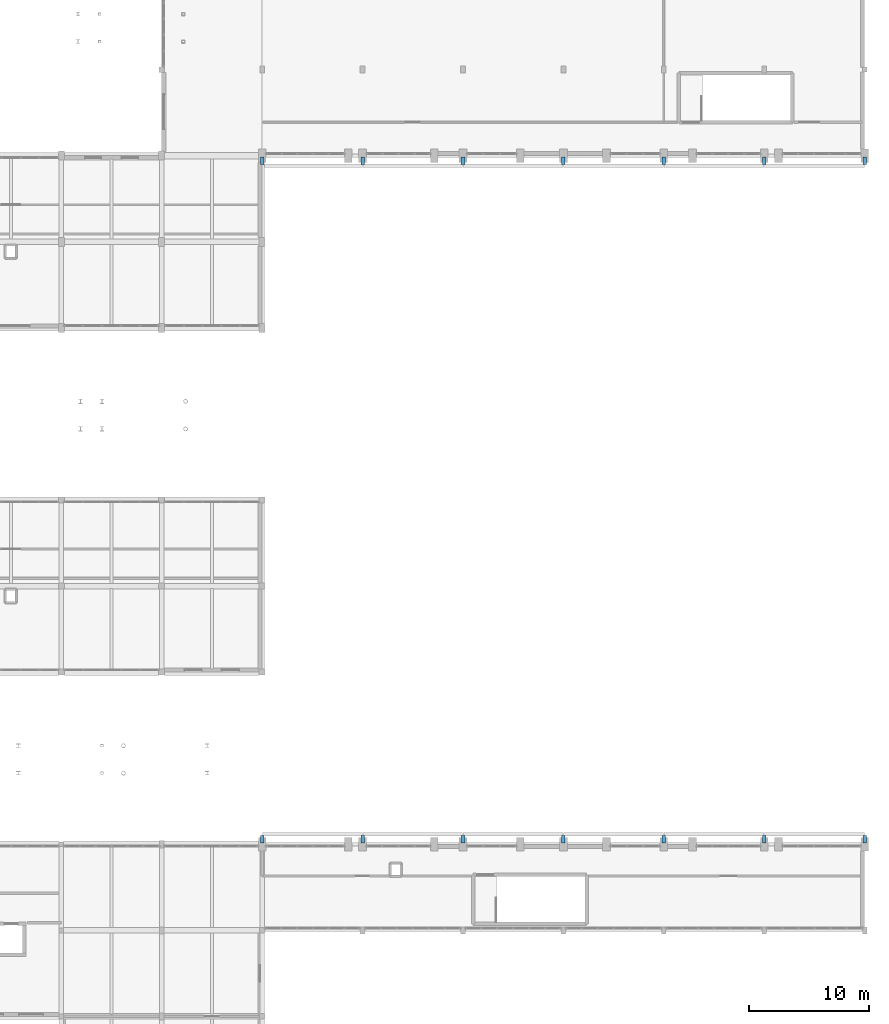
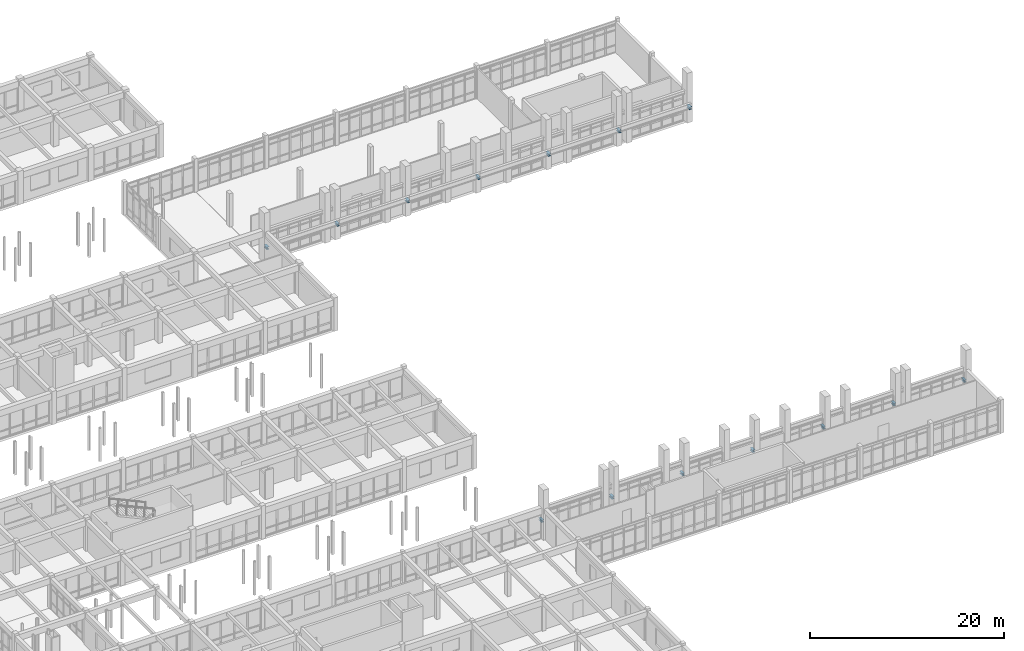
# One storey, part 100 of 147: 14 beams.
"""IFC4 building model written with IfcOpenShell, lengths in metres."""

from ifc_helpers import new_model, si_unit, direction, frame, origin, origin_2d, place, context, subcontext, project, spatial, i_section, extrude, material, material_profile, profile_set, type_object, element, save


model = new_model("IFC4")

# Units and contexts
model_context = context("Model", 3, precision=1e-05, world=origin(), true_north=direction((0.0, 1.0)))
body_context = subcontext(model_context, "Body", "Model", "MODEL_VIEW")
ifc_project = project(units=[si_unit("LENGTHUNIT", "METRE"), si_unit("AREAUNIT", "SQUARE_METRE"), si_unit("VOLUMEUNIT", "CUBIC_METRE"), si_unit("PLANEANGLEUNIT", "RADIAN"), si_unit("MASSUNIT", "GRAM", prefix="KILO")], contexts=[model_context])

# Site, building, storey
site_placement = place(None, origin())
site = spatial("IfcSite", under=ifc_project, at=site_placement, CompositionType="ELEMENT")
building_placement = place(site_placement, origin())
building = spatial("IfcBuilding", under=site, at=building_placement, Name="Malvenik Polytechnic", CompositionType="ELEMENT")
storey_placement = place(building_placement, frame((0.0, 0.0, 5.10009765625)))
storey = spatial("IfcBuildingStorey", under=building, at=storey_placement, Name="L01", CompositionType="ELEMENT", Elevation=5.10009765625)

# Beams
ifc_material = material(Name="Steel S355", Category="steel")
ifc_material_profile = material_profile(ifc_material, i_section(OverallWidth=0.300048828125, OverallDepth=0.300048828125, WebThickness=0.010986328125, FlangeThickness=0.01904296875, FilletRadius=0.027099609375, at=origin_2d()), Name="HEB 300")
ifc_profile_set = profile_set([ifc_material_profile], Name="Steel S355")
beam_type = type_object("IfcBeamType", Name="STR-BM-SB-03", PredefinedType="BEAM", material=ifc_profile_set)
for number, where, z_axis, x_axis, name in (
    (1, (134.39990234375, 36.1201171875, 1.89990234375), (0.0, 1.0, 0.0), (-1.0, 0.0, 0.0), "Crane Corbel Tie SB-03 #1.1"),
    (2, (142.800048828125, 36.1201171875, 1.89990234375), (0.0, 1.0, 0.0), (-1.0, 0.0, 0.0), "Crane Corbel Tie SB-03 #1.2"),
    (3, (151.199951171875, 36.1201171875, 1.89990234375), (0.0, 1.0, 0.0), (-1.0, 0.0, 0.0), "Crane Corbel Tie SB-03 #1.3"),
    (4, (159.60009765625, 36.1201171875, 1.89990234375), (0.0, 1.0, 0.0), (-1.0, 0.0, 0.0), "Crane Corbel Tie SB-03 #1.4"),
    (5, (168.0, 36.1201171875, 1.89990234375), (0.0, 1.0, 0.0), (-1.0, 0.0, 0.0), "Crane Corbel Tie SB-03 #1.5"),
    (6, (176.39990234375, 36.1201171875, 1.89990234375), (0.0, 1.0, 0.0), (-1.0, 0.0, 0.0), "Crane Corbel Tie SB-03 #1.6"),
    (7, (184.800048828125, 36.1201171875, 1.89990234375), (0.0, 1.0, 0.0), (-1.0, 0.0, 0.0), "Crane Corbel Tie SB-03 #1.7"),
    (8, (134.39990234375, 92.8701171875, 1.89990234375), (0.0, 1.0, 0.0), (-1.0, 0.0, 0.0), "Crane Corbel Tie SB-03 #2.1"),
    (9, (142.800048828125, 92.8701171875, 1.89990234375), (0.0, 1.0, 0.0), (-1.0, 0.0, 0.0), "Crane Corbel Tie SB-03 #2.2"),
    (10, (151.199951171875, 92.8701171875, 1.89990234375), (0.0, 1.0, 0.0), (-1.0, 0.0, 0.0), "Crane Corbel Tie SB-03 #2.3"),
    (11, (159.60009765625, 92.8701171875, 1.89990234375), (0.0, 1.0, 0.0), (-1.0, 0.0, 0.0), "Crane Corbel Tie SB-03 #2.4"),
    (12, (168.0, 92.8701171875, 1.89990234375), (0.0, 1.0, 0.0), (-1.0, 0.0, 0.0), "Crane Corbel Tie SB-03 #2.5"),
    (13, (176.39990234375, 92.8701171875, 1.89990234375), (0.0, 1.0, 0.0), (-1.0, 0.0, 0.0), "Crane Corbel Tie SB-03 #2.6"),
    (14, (184.800048828125, 92.8701171875, 1.89990234375), (0.0, 1.0, 0.0), (-1.0, 0.0, 0.0), "Crane Corbel Tie SB-03 #2.7"),
):
    element("IfcBeam", number, at=place(storey_placement, frame(where, z_axis=z_axis, x_axis=x_axis)), inside=storey, type_object=beam_type, Name=name, PredefinedType="BEAM", context=body_context, shape_type="SweptSolid", body=[
        extrude(i_section(OverallWidth=0.300048828125, OverallDepth=0.300048828125, WebThickness=0.010986328125, FlangeThickness=0.01904296875, FilletRadius=0.027099609375, at=origin_2d()), origin(), (0.0, 0.0, 1.0), 0.60986328125),
    ])

save(model, "model.ifc")
